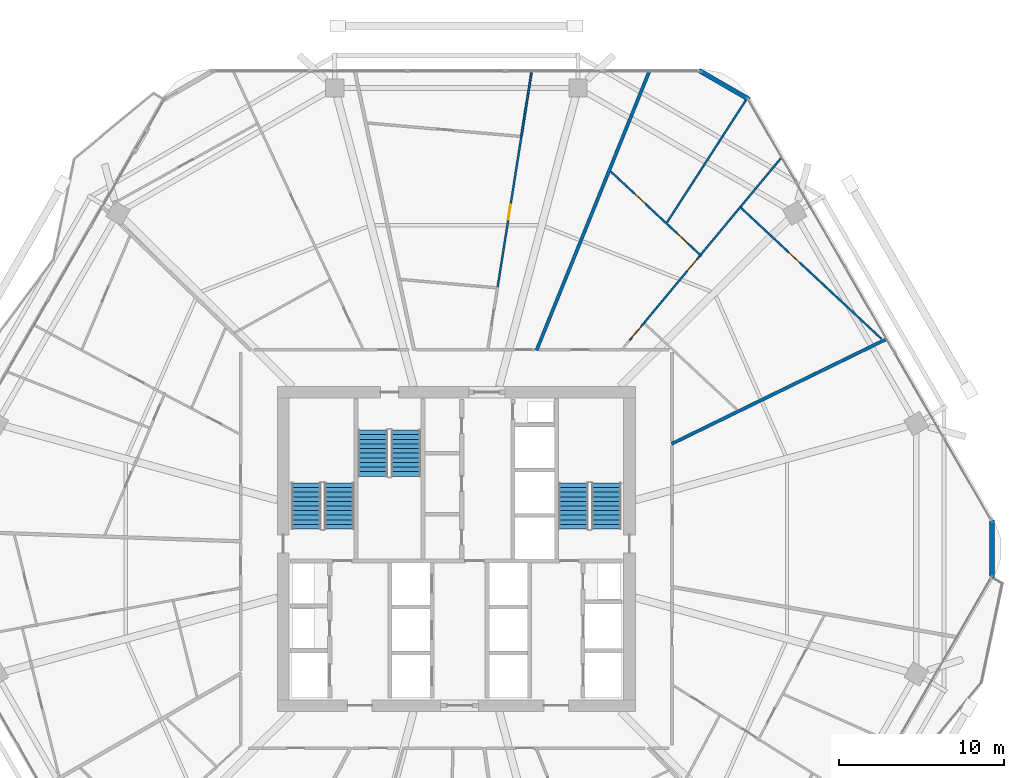
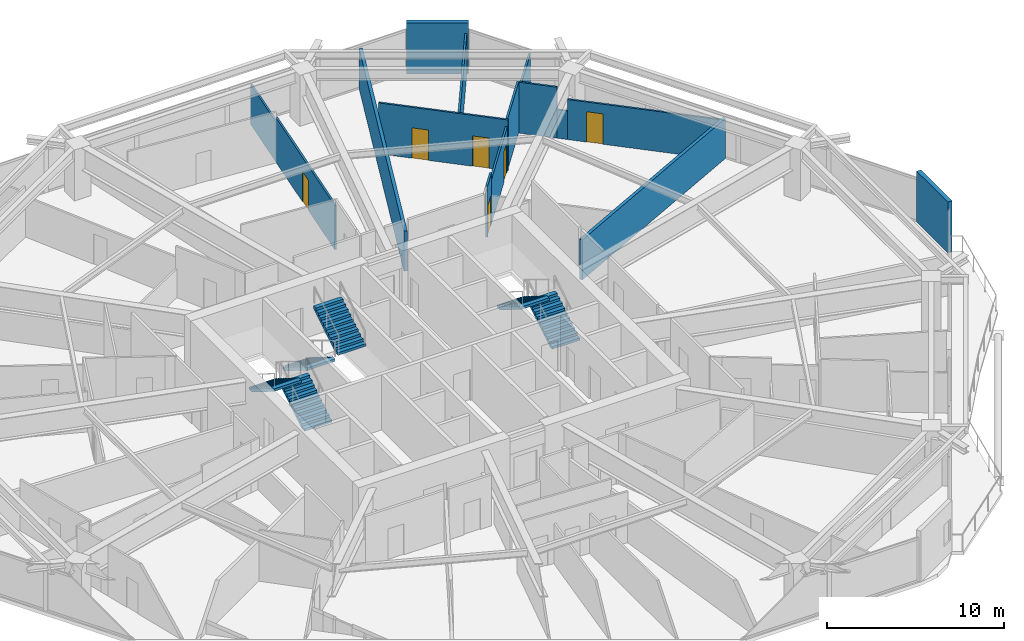
# One storey, part 31 of 33: 15 walls, 6 doors, 6 stair flights, 6 openings, 3 elements without a shape of their own.
"""IFC4 building model written with IfcOpenShell, lengths in metres."""

from ifc_helpers import new_model, si_unit, direction, frame, frame_2d, origin, place, context, subcontext, project, spatial, polyline, rectangle, outline, extrude, material, layer, layer_set, type_object, element, fill, aggregate, save


model = new_model("IFC4")

# Units and contexts
model_context = context("Model", 3, precision=1e-05, world=origin(), true_north=direction((0.0, 1.0)))
body_context = subcontext(model_context, "Body", "Model", "MODEL_VIEW")
ifc_project = project(units=[si_unit("LENGTHUNIT", "METRE"), si_unit("AREAUNIT", "SQUARE_METRE"), si_unit("VOLUMEUNIT", "CUBIC_METRE"), si_unit("PLANEANGLEUNIT", "RADIAN"), si_unit("MASSUNIT", "GRAM", prefix="KILO")], contexts=[model_context])

# Site, building, storey
site_placement = place(None, origin())
site = spatial("IfcSite", under=ifc_project, at=site_placement, CompositionType="ELEMENT")
building_placement = place(site_placement, origin())
building = spatial("IfcBuilding", under=site, at=building_placement, Name="Zuhravey Tower", CompositionType="ELEMENT")
storey_placement = place(building_placement, frame((0.0, 0.0, 141.800048828125)))
storey = spatial("IfcBuildingStorey", under=building, at=storey_placement, Name="L35", CompositionType="ELEMENT", Elevation=141.800048828125)

# Walls
ifc_material_1 = material(Name="Precast concrete C40/50", Category="concrete")
ifc_layer_1 = layer(ifc_material_1, 0.280029296875)
ifc_layer_set_1 = layer_set([ifc_layer_1], Name="Precast concrete C40/50")
wall_type_1 = type_object("IfcWallType", Name="Crown Architectural Wall 280", PredefinedType="SOLIDWALL", material=ifc_layer_set_1)
wall_1_placement = place(storey_placement, frame((50.71728515625, 61.006103515625, 0.0), z_axis=(0.0, 0.0, 1.0), x_axis=(0.866007452331, -0.500031091541, 0.0)))
element("IfcWall", 1, at=wall_1_placement, inside=storey, type_object=wall_type_1, Name="L35 Rounded Corner Closure Wall EW28-10", PredefinedType="SOLIDWALL", context=body_context, shape_type="SweptSolid", body=[
    extrude(rectangle(XDim=3.514892578125, YDim=0.280029296875, at=frame_2d((1.75732421875, 0.0))), origin(), (0.0, 0.0, 1.0), 3.52001953125),
])
wall_2_placement = place(storey_placement, frame((68.478515625, 33.757568359375, 0.0), z_axis=(0.0, 0.0, 1.0), x_axis=(0.0, -1.0, 0.0)))
element("IfcWall", 2, at=wall_2_placement, inside=storey, type_object=wall_type_1, Name="L35 Rounded Corner Closure Wall EW28-12", PredefinedType="SOLIDWALL", context=body_context, shape_type="SweptSolid", body=[
    extrude(rectangle(XDim=3.51513671875, YDim=0.280029296875, at=frame_2d((1.757568359375, 0.0))), origin(), (0.0, 0.0, 1.0), 3.52001953125),
])
ifc_material_2 = material(Name="Gypsum double-stud party assembly")
ifc_layer_2 = layer(ifc_material_2, 0.199951171875)
ifc_layer_set_2 = layer_set([ifc_layer_2], Name="Gypsum double-stud party assembly")
wall_type_2 = type_object("IfcWallType", Name="Inter-Tenancy Party Wall 200", PredefinedType="PARTITIONING", material=ifc_layer_set_2)
wall_3_placement = place(storey_placement, frame((49.0400390625, 38.360107421875, 0.0), z_axis=(0.0, 0.0, 1.0), x_axis=(0.898795428948, 0.438368311927, 0.0)))
element("IfcWall", 3, at=wall_3_placement, inside=storey, type_object=wall_type_2, Name="L35 IW20 Partition 075", PredefinedType="PARTITIONING", context=body_context, shape_type="SweptSolid", body=[
    extrude(rectangle(XDim=14.520751953125, YDim=0.199951171875, at=frame_2d((7.26025390625, 0.0))), origin(), (0.0, 0.0, 1.0), 2.77001953125),
])
wall_4_placement = place(storey_placement, frame((40.864501953125, 44.0400390625, 0.0), z_axis=(0.0, 0.0, 1.0), x_axis=(0.374604184898, 0.927184827668, 0.0)))
element("IfcWall", 4, at=wall_4_placement, inside=storey, type_object=wall_type_2, Name="L35 IW20 Partition 082", PredefinedType="PARTITIONING", context=body_context, shape_type="SweptSolid", body=[
    extrude(rectangle(XDim=18.2470703125, YDim=0.199951171875, at=frame_2d((9.12353515625, 0.0))), origin(), (0.0, 0.0, 1.0), 2.77001953125),
])

# Wall, openings, doors
ifc_material_3 = material(Name="Gypsum metal-stud partition")
ifc_layer_3 = layer(ifc_material_3, 0.1201171875)
ifc_layer_set_3 = layer_set([ifc_layer_3], Name="Gypsum metal-stud partition")
wall_type_3 = type_object("IfcWallType", Name="Unit Internal Partition 120", PredefinedType="PARTITIONING", material=ifc_layer_set_3)
wall_5_placement = place(storey_placement, frame((50.87158203125, 49.743896484375, 0.0), z_axis=(0.0, 0.0, 1.0), x_axis=(-0.731331373679, 0.682022303062, 0.0)))
wall_5 = element("IfcWall", 5, at=wall_5_placement, inside=storey, type_object=wall_type_3, Name="L35 IW12 Partition 019", PredefinedType="PARTITIONING", context=body_context, shape_type="SweptSolid", body=[
    extrude(rectangle(XDim=7.52587890625, YDim=0.1201171875, at=frame_2d((3.762939453125, 0.0))), origin(), (0.0, 0.0, 1.0), 3.52001953125),
])
opening_1_placement = place(wall_5_placement, frame((1.10693359375, 0.0, 0.0)))
opening_1 = element("IfcOpeningElement", 6, at=opening_1_placement, cuts=wall_5, Name="Opening IND1", PredefinedType="OPENING", context=body_context, shape_type="SweptSolid", body=[
    extrude(rectangle(XDim=0.949951171875, YDim=2.10009765625, at=frame_2d((0.47509765625, 1.050048828125))), frame((0.0, 0.072021484375, 0.0), z_axis=(0.0, -1.0, 0.0), x_axis=(1.0, 0.0, 0.0)), (0.0, 0.0, 1.0), 0.14404296875),
])
opening_2_placement = place(wall_5_placement, frame((4.6279296875, 0.0, 0.0)))
opening_2 = element("IfcOpeningElement", 7, at=opening_2_placement, cuts=wall_5, Name="Opening IND1", PredefinedType="OPENING", context=body_context, shape_type="SweptSolid", body=[
    extrude(rectangle(XDim=0.949951171875, YDim=2.10009765625, at=frame_2d((0.47509765625, 1.050048828125))), frame((0.0, 0.072021484375, 0.0), z_axis=(0.0, -1.0, 0.0), x_axis=(1.0, 0.0, 0.0)), (0.0, 0.0, 1.0), 0.14404296875),
])
ifc_material_4 = material(Name="Painted engineered timber leaf", Category="wood")
door_type_1 = type_object("IfcDoorType", Name="Internal Room & Bedroom Door 950x2100", OperationType="NOTDEFINED", PredefinedType="DOOR", material=ifc_material_4)
door_1_placement = place(opening_1_placement, frame((0.949951171875, 0.0, 0.0), z_axis=(0.0, 0.0, 1.0), x_axis=(-1.0, 0.0, 0.0)))
door_1 = element("IfcDoor", 8, at=door_1_placement, inside=storey, type_object=door_type_1, Name="Apartment L35-01 Family Study Door", OperationType="SINGLE_SWING_LEFT", OverallHeight=2.10009765625, OverallWidth=0.949951171875, PredefinedType="DOOR", context=body_context, shape_type="SweptSolid", body=[
    extrude(rectangle(XDim=0.949951171875, YDim=2.10009765625, at=frame_2d((0.47509765625, 1.050048828125))), frame((0.0, 0.02490234375, 0.0), z_axis=(0.0, -1.0, 0.0), x_axis=(1.0, 0.0, 0.0)), (0.0, 0.0, 1.0), 0.050048828125),
])
fill(opening_1, door_1)
door_2_placement = place(opening_2_placement, frame((0.949951171875, 0.0, 0.0), z_axis=(0.0, 0.0, 1.0), x_axis=(-1.0, 0.0, 0.0)))
door_2 = element("IfcDoor", 9, at=door_2_placement, inside=storey, type_object=door_type_1, Name="Apartment L35-01 Dining Room Door", OperationType="SINGLE_SWING_RIGHT", OverallHeight=2.10009765625, OverallWidth=0.949951171875, PredefinedType="DOOR", context=body_context, shape_type="SweptSolid", body=[
    extrude(rectangle(XDim=0.949951171875, YDim=2.10009765625, at=frame_2d((0.47509765625, 1.050048828125))), frame((0.0, 0.02490234375, 0.0), z_axis=(0.0, -1.0, 0.0), x_axis=(1.0, 0.0, 0.0)), (0.0, 0.0, 1.0), 0.050048828125),
])
fill(opening_2, door_2)

# Wall, opening, door
wall_6_placement = place(storey_placement, frame((46.509765625, 44.64990234375, 0.0), z_axis=(0.0, 0.0, 1.0), x_axis=(0.639059700244, 0.769157135782, 0.0)))
wall_6 = element("IfcWall", 10, at=wall_6_placement, inside=storey, type_object=wall_type_3, Name="L35 IW12 Partition 020", PredefinedType="PARTITIONING", context=body_context, shape_type="SweptSolid", body=[
    extrude(rectangle(XDim=1.388671875, YDim=0.1201171875, at=frame_2d((0.6943359375, 0.0))), origin(), (0.0, 0.0, 1.0), 3.52001953125),
])
opening_3_placement = place(wall_6_placement, frame((0.199951171875, 0.0, 0.0)))
opening_3 = element("IfcOpeningElement", 11, at=opening_3_placement, cuts=wall_6, Name="Opening WCD1", PredefinedType="OPENING", context=body_context, shape_type="SweptSolid", body=[
    extrude(rectangle(XDim=0.89990234375, YDim=2.10009765625, at=frame_2d((0.449951171875, 1.050048828125))), frame((0.0, 0.072021484375, 0.0), z_axis=(0.0, -1.0, 0.0), x_axis=(1.0, 0.0, 0.0)), (0.0, 0.0, 1.0), 0.14404296875),
])
ifc_material_5 = material(Name="Moisture-resistant timber leaf", Category="wood")
door_type_2 = type_object("IfcDoorType", Name="Bathroom & WC Internal Door 900x2100", OperationType="NOTDEFINED", PredefinedType="DOOR", material=ifc_material_5)
door_3_placement = place(opening_3_placement, frame((0.89990234375, 0.0, 0.0), z_axis=(0.0, 0.0, 1.0), x_axis=(-1.0, 0.0, 0.0)))
door_3 = element("IfcDoor", 12, at=door_3_placement, inside=storey, type_object=door_type_2, Name="Apartment L35-01 Bathroom Door", OperationType="SINGLE_SWING_LEFT", OverallHeight=2.10009765625, OverallWidth=0.89990234375, PredefinedType="DOOR", context=body_context, shape_type="SweptSolid", body=[
    extrude(rectangle(XDim=0.89990234375, YDim=2.10009765625, at=frame_2d((0.449951171875, 1.050048828125))), frame((0.0, 0.02490234375, 0.0), z_axis=(0.0, -1.0, 0.0), x_axis=(1.0, 0.0, 0.0)), (0.0, 0.0, 1.0), 0.050048828125),
])
fill(opening_3, door_3)

wall_7_placement = place(storey_placement, frame((47.397216796875, 45.718017578125, 0.0), z_axis=(0.0, 0.0, 1.0), x_axis=(0.639009121336, 0.769199156818, 0.0)))
wall_7 = element("IfcWall", 13, at=wall_7_placement, inside=storey, type_object=wall_type_3, Name="L35 IW12 Partition 021", PredefinedType="PARTITIONING", context=body_context, shape_type="SweptSolid", body=[
    extrude(rectangle(XDim=5.25439453125, YDim=0.1201171875, at=frame_2d((2.627197265625, 0.0))), origin(), (0.0, 0.0, 1.0), 3.070068359375),
])
opening_4_placement = place(wall_7_placement, frame((4.064208984375, 0.0, 0.0)))
opening_4 = element("IfcOpeningElement", 14, at=opening_4_placement, cuts=wall_7, Name="Opening IND1", PredefinedType="OPENING", context=body_context, shape_type="SweptSolid", body=[
    extrude(rectangle(XDim=0.949951171875, YDim=2.10009765625, at=frame_2d((0.47509765625, 1.050048828125))), frame((0.0, 0.072021484375, 0.0), z_axis=(0.0, -1.0, 0.0), x_axis=(1.0, 0.0, 0.0)), (0.0, 0.0, 1.0), 0.14404296875),
])
door_4_placement = place(opening_4_placement, frame((0.949951171875, 0.0, 0.0), z_axis=(0.0, 0.0, 1.0), x_axis=(-1.0, 0.0, 0.0)))
door_4 = element("IfcDoor", 15, at=door_4_placement, inside=storey, type_object=door_type_1, Name="Apartment L35-01 Home Office Door", OperationType="SINGLE_SWING_RIGHT", OverallHeight=2.10009765625, OverallWidth=0.949951171875, PredefinedType="DOOR", context=body_context, shape_type="SweptSolid", body=[
    extrude(rectangle(XDim=0.949951171875, YDim=2.10009765625, at=frame_2d((0.47509765625, 1.050048828125))), frame((0.0, 0.02490234375, 0.0), z_axis=(0.0, -1.0, 0.0), x_axis=(1.0, 0.0, 0.0)), (0.0, 0.0, 1.0), 0.050048828125),
])
fill(opening_4, door_4)

# Wall
wall_8_placement = place(storey_placement, frame((50.842041015625, 49.864501953125, 0.0), z_axis=(0.0, 0.0, 1.0), x_axis=(0.639020883538, 0.769189385264, 0.0)))
element("IfcWall", 16, at=wall_8_placement, inside=storey, type_object=wall_type_3, Name="L35 IW12 Partition 022", PredefinedType="PARTITIONING", context=body_context, shape_type="SweptSolid", body=[
    extrude(rectangle(XDim=3.738037109375, YDim=0.1201171875, at=frame_2d((1.869140625, 0.0))), origin(), (0.0, 0.0, 1.0), 3.52001953125),
])

# Wall, opening, door
wall_9_placement = place(storey_placement, frame((61.774169921875, 44.73876953125, 0.0), z_axis=(0.0, 0.0, 1.0), x_axis=(-0.731355304154, 0.681996641551, 0.0)))
wall_9 = element("IfcWall", 17, at=wall_9_placement, inside=storey, type_object=wall_type_3, Name="L35 IW12 Partition 023", PredefinedType="PARTITIONING", context=body_context, shape_type="SweptSolid", body=[
    extrude(rectangle(XDim=8.819091796875, YDim=0.1201171875, at=frame_2d((4.40966796875, 0.0))), origin(), (0.0, 0.0, 1.0), 2.77001953125),
])
opening_5_placement = place(wall_9_placement, frame((6.746826171875, 0.0, 0.0)))
opening_5 = element("IfcOpeningElement", 18, at=opening_5_placement, cuts=wall_9, Name="Opening IND1", PredefinedType="OPENING", context=body_context, shape_type="SweptSolid", body=[
    extrude(rectangle(XDim=0.949951171875, YDim=2.10009765625, at=frame_2d((0.47509765625, 1.050048828125))), frame((0.0, 0.072021484375, 0.0), z_axis=(0.0, -1.0, 0.0), x_axis=(1.0, 0.0, 0.0)), (0.0, 0.0, 1.0), 0.14404296875),
])
door_5_placement = place(opening_5_placement, frame((0.949951171875, 0.0, 0.0), z_axis=(0.0, 0.0, 1.0), x_axis=(-1.0, 0.0, 0.0)))
door_5 = element("IfcDoor", 19, at=door_5_placement, inside=storey, type_object=door_type_1, Name="Apartment L35-01 Bedroom 1 Door", OperationType="SINGLE_SWING_LEFT", OverallHeight=2.10009765625, OverallWidth=0.949951171875, PredefinedType="DOOR", context=body_context, shape_type="SweptSolid", body=[
    extrude(rectangle(XDim=0.949951171875, YDim=2.10009765625, at=frame_2d((0.47509765625, 1.050048828125))), frame((0.0, 0.02490234375, 0.0), z_axis=(0.0, -1.0, 0.0), x_axis=(1.0, 0.0, 0.0)), (0.0, 0.0, 1.0), 0.050048828125),
])
fill(opening_5, door_5)

wall_10_placement = place(storey_placement, frame((38.4990234375, 47.849853515625, 0.0), z_axis=(0.0, 0.0, 1.0), x_axis=(0.155739968207, 0.987798087821, 0.0)))
wall_10 = element("IfcWall", 20, at=wall_10_placement, inside=storey, type_object=wall_type_3, Name="L35 IW12 Partition 026", PredefinedType="PARTITIONING", context=body_context, shape_type="SweptSolid", body=[
    extrude(rectangle(XDim=9.292724609375, YDim=0.1201171875, at=frame_2d((4.646484375, 0.0))), origin(), (0.0, 0.0, 1.0), 3.070068359375),
])
opening_6_placement = place(wall_10_placement, frame((4.146240234375, 0.0, 0.0)))
opening_6 = element("IfcOpeningElement", 21, at=opening_6_placement, cuts=wall_10, Name="Opening IND1", PredefinedType="OPENING", context=body_context, shape_type="SweptSolid", body=[
    extrude(rectangle(XDim=0.949951171875, YDim=2.10009765625, at=frame_2d((0.47509765625, 1.050048828125))), frame((0.0, 0.072021484375, 0.0), z_axis=(0.0, -1.0, 0.0), x_axis=(1.0, 0.0, 0.0)), (0.0, 0.0, 1.0), 0.14404296875),
])
door_6_placement = place(opening_6_placement, origin())
door_6 = element("IfcDoor", 22, at=door_6_placement, inside=storey, type_object=door_type_1, Name="Apartment L35-02 Home Office Door", OperationType="SINGLE_SWING_RIGHT", OverallHeight=2.10009765625, OverallWidth=0.949951171875, PredefinedType="DOOR", context=body_context, shape_type="SweptSolid", body=[
    extrude(rectangle(XDim=0.949951171875, YDim=2.10009765625, at=frame_2d((0.47509765625, 1.050048828125))), frame((0.0, 0.02490234375, 0.0), z_axis=(0.0, -1.0, 0.0), x_axis=(1.0, 0.0, 0.0)), (0.0, 0.0, 1.0), 0.050048828125),
])
fill(opening_6, door_6)

# Walls
wall_11_placement = place(storey_placement, frame((48.773681640625, 51.79345703125, 0.0), z_axis=(0.0, 0.0, 1.0), x_axis=(0.542247135823, 0.840219045066, 0.0)))
element("IfcWall", 23, at=wall_11_placement, inside=storey, type_object=wall_type_3, Name="L35 IW12 Partition 076", PredefinedType="PARTITIONING", context=body_context, shape_type="SweptSolid", body=[
    extrude(rectangle(XDim=9.01611328125, YDim=0.1201171875, at=frame_2d((4.508056640625, 0.0))), origin(), (0.0, 0.0, 1.0), 2.77001953125),
])
wall_12_placement = place(storey_placement, frame((53.230712890625, 52.73974609375, 0.0), z_axis=(0.0, 0.0, 1.0), x_axis=(0.639017422435, 0.769192260638, 0.0)))
element("IfcWall", 24, at=wall_12_placement, inside=storey, type_object=wall_type_3, Name="L35 IW12 Partition 078", PredefinedType="PARTITIONING", context=body_context, shape_type="SweptSolid", body=[
    extrude(rectangle(XDim=3.912353515625, YDim=0.1201171875, at=frame_2d((1.9560546875, 0.0))), origin(), (0.0, 0.0, 1.0), 2.77001953125),
])
wall_13_placement = place(storey_placement, frame((55.32421875, 50.75341796875, 0.0), z_axis=(0.0, 0.0, 1.0), x_axis=(-0.731328464802, 0.682025422231, 0.0)))
element("IfcWall", 25, at=wall_13_placement, inside=storey, type_object=wall_type_3, Name="L35 IW12 Partition 080", PredefinedType="PARTITIONING", context=body_context, shape_type="SweptSolid", body=[
    extrude(rectangle(XDim=0.59423828125, YDim=0.1201171875, at=frame_2d((0.297119140625, 0.0))), origin(), (0.0, 0.0, 1.0), 1.969970703125),
])
wall_14_placement = place(storey_placement, frame((54.8896484375, 51.15869140625, 0.0), z_axis=(0.0, 0.0, 1.0), x_axis=(-0.731394961104, 0.681954111998, 0.0)))
element("IfcWall", 26, at=wall_14_placement, inside=storey, type_object=wall_type_3, Name="L35 IW12 Partition 081", PredefinedType="PARTITIONING", context=body_context, shape_type="SweptSolid", body=[
    extrude(rectangle(XDim=2.22216796875, YDim=0.1201171875, at=frame_2d((1.111083984375, 0.0))), origin(), (0.0, 0.0, 1.0), 3.52001953125),
])
wall_15_placement = place(storey_placement, frame((39.9462890625, 57.029296875, 0.0), z_axis=(0.0, 0.0, 1.0), x_axis=(0.155773687756, 0.98779277088, 0.0)))
element("IfcWall", 27, at=wall_15_placement, inside=storey, type_object=wall_type_3, Name="L35 IW12 Partition 084", PredefinedType="PARTITIONING", context=body_context, shape_type="SweptSolid", body=[
    extrude(rectangle(XDim=3.982421875, YDim=0.1201171875, at=frame_2d((1.9912109375, 0.0))), origin(), (0.0, 0.0, 1.0), 2.77001953125),
])

# Stair, stair flights
ifc_material_6 = material(Name="Concrete C40/50", Category="concrete")
stair_type = type_object("IfcStairType", Name="Housing Storey Stair Assembly 3800", PredefinedType="HALF_TURN_STAIR", material=ifc_material_6)
stair_1_placement = place(storey_placement, origin())
stair_1 = element("IfcStair", 28, at=stair_1_placement, inside=storey, type_object=stair_type, Name="L35 Core Exit Stair ST1", PredefinedType="HALF_TURN_STAIR")
stair_flight_type = type_object("IfcStairFlightType", Name="Housing Storey Stair Flight 3800", PredefinedType="STRAIGHT", material=ifc_material_6)
stair_flight_1_placement = place(storey_placement, frame((28.89990234375, 33.199951171875, 0.0), z_axis=(0.0, 0.0, 1.0), x_axis=(0.0, 1.0, 0.0)))
stair_flight_1 = element("IfcStairFlight", 29, at=stair_flight_1_placement, type_object=stair_flight_type, Name="ST1 flight 1", NumberOfRisers=11, NumberOfTreads=10, PredefinedType="STRAIGHT", RiserHeight=0.172727273, TreadLength=0.28, context=body_context, shape_type="SweptSolid", body=[
    extrude(outline(polyline([(0.0, 0.0), (0.0, 0.172607421875), (0.280029296875, 0.172607421875), (0.280029296875, 0.345458984375), (0.56005859375, 0.345458984375), (0.56005859375, 0.51806640625), (0.840087890625, 0.51806640625), (0.840087890625, 0.69091796875), (1.1201171875, 0.69091796875), (1.1201171875, 0.863525390625), (1.39990234375, 0.863525390625), (1.39990234375, 1.036376953125), (1.679931640625, 1.036376953125), (1.679931640625, 1.208984375), (1.9599609375, 1.208984375), (1.9599609375, 1.3818359375), (2.239990234375, 1.3818359375), (2.239990234375, 1.554443359375), (2.52001953125, 1.554443359375), (2.52001953125, 1.727294921875), (2.800048828125, 1.727294921875), (2.800048828125, 1.89990234375), (2.800048828125, 1.551025390625), (0.285400390625, 0.0), (0.0, 0.0)])), frame((0.0, 0.89990234375, 0.0), z_axis=(0.0, -1.0, 0.0), x_axis=(1.0, 0.0, 0.0)), (0.0, 0.0, 1.0), 1.800048828125),
])
stair_flight_2_placement = place(storey_placement, frame((26.89990234375, 36.0, 1.89990234375), z_axis=(0.0, 0.0, 1.0), x_axis=(0.0, -1.0, 0.0)))
stair_flight_2 = element("IfcStairFlight", 30, at=stair_flight_2_placement, type_object=stair_flight_type, Name="ST1 flight 2", NumberOfRisers=11, NumberOfTreads=10, PredefinedType="STRAIGHT", RiserHeight=0.172727273, TreadLength=0.28, context=body_context, shape_type="SweptSolid", body=[
    extrude(outline(polyline([(0.0, 0.0), (0.0, 0.172607421875), (0.280029296875, 0.172607421875), (0.280029296875, 0.345458984375), (0.56005859375, 0.345458984375), (0.56005859375, 0.51806640625), (0.840087890625, 0.51806640625), (0.840087890625, 0.69091796875), (1.1201171875, 0.69091796875), (1.1201171875, 0.863525390625), (1.39990234375, 0.863525390625), (1.39990234375, 1.036376953125), (1.679931640625, 1.036376953125), (1.679931640625, 1.208984375), (1.9599609375, 1.208984375), (1.9599609375, 1.3818359375), (2.239990234375, 1.3818359375), (2.239990234375, 1.554443359375), (2.52001953125, 1.554443359375), (2.52001953125, 1.727294921875), (2.800048828125, 1.727294921875), (2.800048828125, 1.89990234375), (2.800048828125, 1.551025390625), (0.285400390625, 0.0), (0.0, 0.0)])), frame((0.0, 0.89990234375, 0.0), z_axis=(0.0, -1.0, 0.0), x_axis=(1.0, 0.0, 0.0)), (0.0, 0.0, 1.0), 1.800048828125),
])
aggregate(stair_1, [stair_flight_1, stair_flight_2])

stair_2_placement = place(storey_placement, origin())
stair_2 = element("IfcStair", 31, at=stair_2_placement, inside=storey, type_object=stair_type, Name="L35 Core Exit Stair ST2", PredefinedType="HALF_TURN_STAIR")
stair_flight_3_placement = place(storey_placement, frame((45.10009765625, 33.199951171875, 0.0), z_axis=(0.0, 0.0, 1.0), x_axis=(0.0, 1.0, 0.0)))
stair_flight_3 = element("IfcStairFlight", 32, at=stair_flight_3_placement, type_object=stair_flight_type, Name="ST2 flight 1", NumberOfRisers=11, NumberOfTreads=10, PredefinedType="STRAIGHT", RiserHeight=0.172727273, TreadLength=0.28, context=body_context, shape_type="SweptSolid", body=[
    extrude(outline(polyline([(0.0, 0.0), (0.0, 0.172607421875), (0.280029296875, 0.172607421875), (0.280029296875, 0.345458984375), (0.56005859375, 0.345458984375), (0.56005859375, 0.51806640625), (0.840087890625, 0.51806640625), (0.840087890625, 0.69091796875), (1.1201171875, 0.69091796875), (1.1201171875, 0.863525390625), (1.39990234375, 0.863525390625), (1.39990234375, 1.036376953125), (1.679931640625, 1.036376953125), (1.679931640625, 1.208984375), (1.9599609375, 1.208984375), (1.9599609375, 1.3818359375), (2.239990234375, 1.3818359375), (2.239990234375, 1.554443359375), (2.52001953125, 1.554443359375), (2.52001953125, 1.727294921875), (2.800048828125, 1.727294921875), (2.800048828125, 1.89990234375), (2.800048828125, 1.551025390625), (0.285400390625, 0.0), (0.0, 0.0)])), frame((0.0, 0.89990234375, 0.0), z_axis=(0.0, -1.0, 0.0), x_axis=(1.0, 0.0, 0.0)), (0.0, 0.0, 1.0), 1.800048828125),
])
stair_flight_4_placement = place(storey_placement, frame((43.10009765625, 36.0, 1.89990234375), z_axis=(0.0, 0.0, 1.0), x_axis=(0.0, -1.0, 0.0)))
stair_flight_4 = element("IfcStairFlight", 33, at=stair_flight_4_placement, type_object=stair_flight_type, Name="ST2 flight 2", NumberOfRisers=11, NumberOfTreads=10, PredefinedType="STRAIGHT", RiserHeight=0.172727273, TreadLength=0.28, context=body_context, shape_type="SweptSolid", body=[
    extrude(outline(polyline([(0.0, 0.0), (0.0, 0.172607421875), (0.280029296875, 0.172607421875), (0.280029296875, 0.345458984375), (0.56005859375, 0.345458984375), (0.56005859375, 0.51806640625), (0.840087890625, 0.51806640625), (0.840087890625, 0.69091796875), (1.1201171875, 0.69091796875), (1.1201171875, 0.863525390625), (1.39990234375, 0.863525390625), (1.39990234375, 1.036376953125), (1.679931640625, 1.036376953125), (1.679931640625, 1.208984375), (1.9599609375, 1.208984375), (1.9599609375, 1.3818359375), (2.239990234375, 1.3818359375), (2.239990234375, 1.554443359375), (2.52001953125, 1.554443359375), (2.52001953125, 1.727294921875), (2.800048828125, 1.727294921875), (2.800048828125, 1.89990234375), (2.800048828125, 1.551025390625), (0.285400390625, 0.0), (0.0, 0.0)])), frame((0.0, 0.89990234375, 0.0), z_axis=(0.0, -1.0, 0.0), x_axis=(1.0, 0.0, 0.0)), (0.0, 0.0, 1.0), 1.800048828125),
])
aggregate(stair_2, [stair_flight_3, stair_flight_4])

stair_3_placement = place(storey_placement, origin())
stair_3 = element("IfcStair", 34, at=stair_3_placement, inside=storey, type_object=stair_type, Name="L35 Core Exit Stair ST3", PredefinedType="HALF_TURN_STAIR")
stair_flight_5_placement = place(storey_placement, frame((30.949951171875, 39.199951171875, 0.0), z_axis=(0.0, 0.0, 1.0), x_axis=(0.0, -1.0, 0.0)))
stair_flight_5 = element("IfcStairFlight", 35, at=stair_flight_5_placement, type_object=stair_flight_type, Name="ST3 flight 1", NumberOfRisers=11, NumberOfTreads=10, PredefinedType="STRAIGHT", RiserHeight=0.172727273, TreadLength=0.28, context=body_context, shape_type="SweptSolid", body=[
    extrude(outline(polyline([(0.0, 0.0), (0.0, 0.172607421875), (0.280029296875, 0.172607421875), (0.280029296875, 0.345458984375), (0.56005859375, 0.345458984375), (0.56005859375, 0.51806640625), (0.840087890625, 0.51806640625), (0.840087890625, 0.69091796875), (1.1201171875, 0.69091796875), (1.1201171875, 0.863525390625), (1.39990234375, 0.863525390625), (1.39990234375, 1.036376953125), (1.679931640625, 1.036376953125), (1.679931640625, 1.208984375), (1.9599609375, 1.208984375), (1.9599609375, 1.3818359375), (2.239990234375, 1.3818359375), (2.239990234375, 1.554443359375), (2.52001953125, 1.554443359375), (2.52001953125, 1.727294921875), (2.800048828125, 1.727294921875), (2.800048828125, 1.89990234375), (2.800048828125, 1.551025390625), (0.285400390625, 0.0), (0.0, 0.0)])), frame((0.0, 0.89990234375, 0.0), z_axis=(0.0, -1.0, 0.0), x_axis=(1.0, 0.0, 0.0)), (0.0, 0.0, 1.0), 1.800048828125),
])
stair_flight_6_placement = place(storey_placement, frame((32.949951171875, 36.39990234375, 1.89990234375), z_axis=(0.0, 0.0, 1.0), x_axis=(0.0, 1.0, 0.0)))
stair_flight_6 = element("IfcStairFlight", 36, at=stair_flight_6_placement, type_object=stair_flight_type, Name="ST3 flight 2", NumberOfRisers=11, NumberOfTreads=10, PredefinedType="STRAIGHT", RiserHeight=0.172727273, TreadLength=0.28, context=body_context, shape_type="SweptSolid", body=[
    extrude(outline(polyline([(0.0, 0.0), (0.0, 0.172607421875), (0.280029296875, 0.172607421875), (0.280029296875, 0.345458984375), (0.56005859375, 0.345458984375), (0.56005859375, 0.51806640625), (0.840087890625, 0.51806640625), (0.840087890625, 0.69091796875), (1.1201171875, 0.69091796875), (1.1201171875, 0.863525390625), (1.39990234375, 0.863525390625), (1.39990234375, 1.036376953125), (1.679931640625, 1.036376953125), (1.679931640625, 1.208984375), (1.9599609375, 1.208984375), (1.9599609375, 1.3818359375), (2.239990234375, 1.3818359375), (2.239990234375, 1.554443359375), (2.52001953125, 1.554443359375), (2.52001953125, 1.727294921875), (2.800048828125, 1.727294921875), (2.800048828125, 1.89990234375), (2.800048828125, 1.551025390625), (0.285400390625, 0.0), (0.0, 0.0)])), frame((0.0, 0.89990234375, 0.0), z_axis=(0.0, -1.0, 0.0), x_axis=(1.0, 0.0, 0.0)), (0.0, 0.0, 1.0), 1.800048828125),
])
aggregate(stair_3, [stair_flight_5, stair_flight_6])

save(model, "model.ifc")
